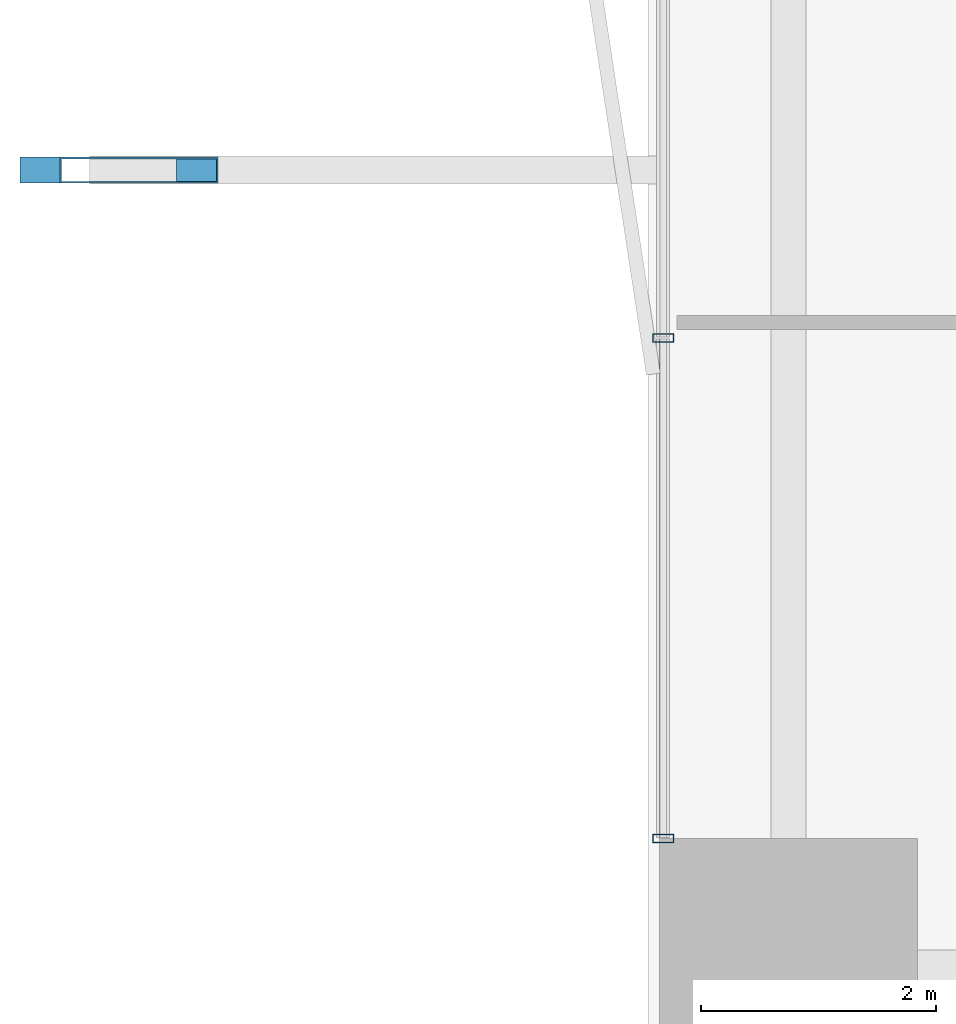
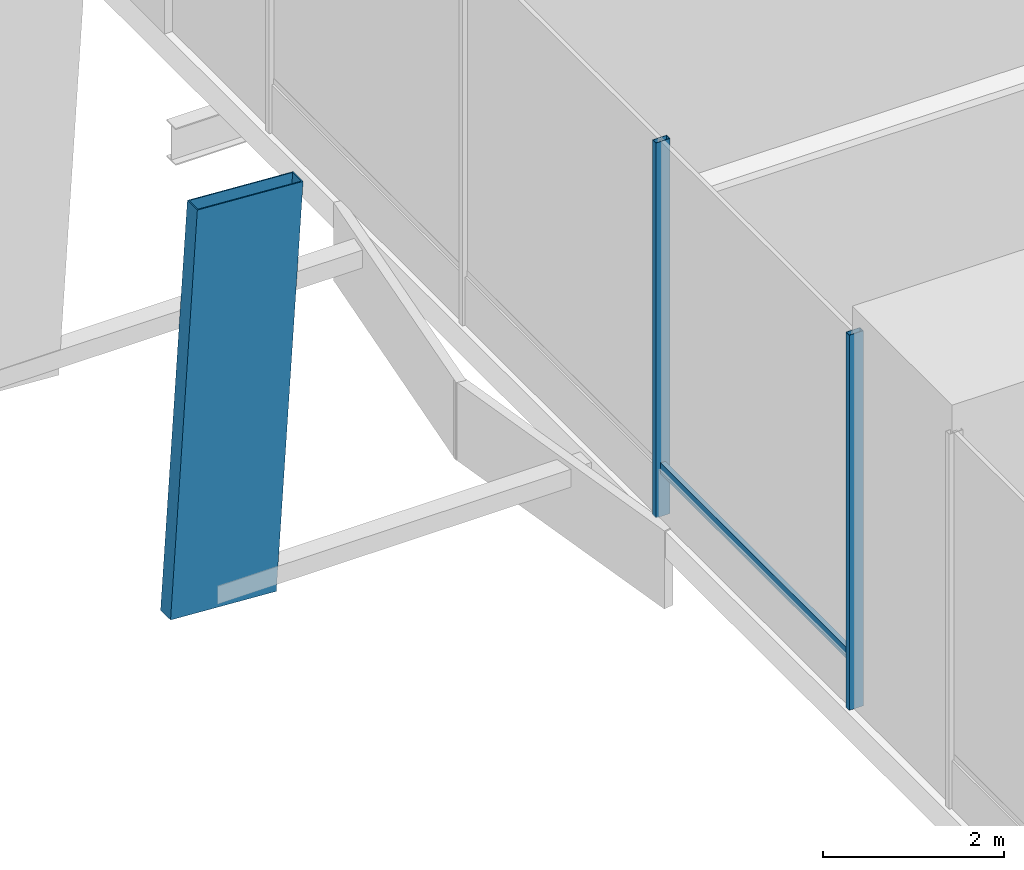
# One storey, part 9 of 24: 4 members, 1 element without a shape of its own.
"""IFC4 building model written with IfcOpenShell, lengths in metres."""

from ifc_helpers import new_model, si_unit, direction, frame, origin, origin_2d, place, context, subcontext, project, spatial, hollow_rectangle, extrude, material, layer, layer_set, material_profile, profile_set, type_object, element, aggregate, save


model = new_model("IFC4")

# Units and contexts
model_context = context("Model", 3, precision=1e-05, world=origin(), true_north=direction((0.0, 1.0)))
body_context = subcontext(model_context, "Body", "Model", "MODEL_VIEW")
ifc_project = project(units=[si_unit("LENGTHUNIT", "METRE"), si_unit("AREAUNIT", "SQUARE_METRE"), si_unit("VOLUMEUNIT", "CUBIC_METRE"), si_unit("PLANEANGLEUNIT", "RADIAN"), si_unit("MASSUNIT", "GRAM", prefix="KILO")], contexts=[model_context])

# Site, building, storey
site_placement = place(None, origin())
site = spatial("IfcSite", under=ifc_project, at=site_placement, CompositionType="ELEMENT")
building_placement = place(site_placement, origin())
building = spatial("IfcBuilding", under=site, at=building_placement, Name="Belovzor Exchange Tower", CompositionType="ELEMENT")
storey_placement = place(building_placement, frame((0.0, 0.0, 8.39990234375)))
storey = spatial("IfcBuildingStorey", under=building, at=storey_placement, Name="L02", CompositionType="ELEMENT", Elevation=8.39990234375)

# Member
ifc_material_1 = material(Name="Extruded Architectural Terracotta on Steel S355 Carrier", Category="masonry")
ifc_material_profile_1 = material_profile(ifc_material_1, hollow_rectangle(XDim=0.219970703125, YDim=1.35009765625, WallThickness=0.013916015625, at=origin_2d()))
ifc_profile_set_1 = profile_set([ifc_material_profile_1], Name="Extruded Architectural Terracotta on Steel S355 Carrier")
member_type_1 = type_object("IfcMemberType", Name="Base Arc Sweeping Terracotta Pylon Fin 1450", PredefinedType="USERDEFINED", material=ifc_profile_set_1)
member_1_placement = place(storey_placement, frame((-4.0810546875, 35.60009765625, -0.349853515625), z_axis=(0.063035616034, 0.0, 0.998011278048), x_axis=(0.0, 1.0, 0.0)))
element("IfcMember", 1, at=member_1_placement, inside=storey, type_object=member_type_1, Name="FIN-TC145 Terracotta Facade Fin L02 W3", ObjectType="FIN", PredefinedType="USERDEFINED", context=body_context, shape_type="SweptSolid", body=[
    extrude(hollow_rectangle(XDim=0.219970703125, YDim=1.35009765625, WallThickness=0.013916015625, at=origin_2d()), origin(), (0.0, 0.0, 1.0), 5.41064453125),
])

# Curtain wall, members
ifc_material_2 = material(Name="Anodised Aluminium Framing", Category="aluminium")
ifc_layer = layer(ifc_material_2, 0.219970703125)
ifc_layer_set = layer_set([ifc_layer], Name="Anodised Aluminium Framing")
curtain_wall_type = type_object("IfcCurtainWallType", Name="Podium Clear-Span Exchange Hall Unitised Curtain Wall", PredefinedType="NOTDEFINED", material=ifc_layer_set)
curtain_wall_placement = place(storey_placement, origin())
curtain_wall = element("IfcCurtainWall", 2, at=curtain_wall_placement, inside=storey, type_object=curtain_wall_type, Name="CW1 Podium Clear-Span Exchange Hall Unitised Curtain Wall L02", PredefinedType="NOTDEFINED")
ifc_material_3 = material(Name="Steel S355", Category="steel")
ifc_material_profile_2 = material_profile(ifc_material_3, hollow_rectangle(XDim=0.074951171875, YDim=0.179931640625, WallThickness=0.0048828125, at=origin_2d()))
ifc_profile_set_2 = profile_set([ifc_material_profile_2], Name="Steel S355")
member_type_2 = type_object("IfcMemberType", Name="Thermally Broken Curtain Wall Mullion 180x75", PredefinedType="MULLION", material=ifc_profile_set_2)
member_2_placement = place(storey_placement, frame((0.72998046875, 29.89990234375, 0.0), z_axis=(0.0, 0.0, 1.0), x_axis=(0.0, 1.0, 0.0)))
member_2 = element("IfcMember", 3, at=member_2_placement, type_object=member_type_2, Name="CW-M180 Curtain Wall Mullion 1", PredefinedType="MULLION", context=body_context, shape_type="SweptSolid", body=[
    extrude(hollow_rectangle(XDim=0.074951171875, YDim=0.179931640625, WallThickness=0.0048828125, at=origin_2d()), origin(), (0.0, 0.0, 1.0), 5.050048828125),
])
member_3_placement = place(storey_placement, frame((0.72998046875, 34.1669921875, 0.0), z_axis=(0.0, 0.0, 1.0), x_axis=(0.0, 1.0, 0.0)))
member_3 = element("IfcMember", 4, at=member_3_placement, type_object=member_type_2, Name="CW-M180 Curtain Wall Mullion 2", PredefinedType="MULLION", context=body_context, shape_type="SweptSolid", body=[
    extrude(hollow_rectangle(XDim=0.074951171875, YDim=0.179931640625, WallThickness=0.0048828125, at=origin_2d()), origin(), (0.0, 0.0, 1.0), 5.050048828125),
])
ifc_material_4 = material(Name="Steel S355", Category="steel")
ifc_material_profile_3 = material_profile(ifc_material_4, hollow_rectangle(XDim=0.06005859375, YDim=0.14990234375, WallThickness=0.00390625, at=origin_2d()))
ifc_profile_set_3 = profile_set([ifc_material_profile_3], Name="Steel S355")
member_type_3 = type_object("IfcMemberType", Name="Thermally Broken Curtain Wall Transom 150x60", PredefinedType="USERDEFINED", material=ifc_profile_set_3)
member_4_placement = place(storey_placement, frame((0.72998046875, 29.907958984375, 0.650146484375), z_axis=(0.0, 1.0, 0.0), x_axis=(-1.0, 0.0, 0.0)))
member_4 = element("IfcMember", 5, at=member_4_placement, type_object=member_type_3, Name="CW-T150 Curtain Wall Transom 1", ObjectType="TRANSOM", PredefinedType="USERDEFINED", context=body_context, shape_type="SweptSolid", body=[
    extrude(hollow_rectangle(XDim=0.06005859375, YDim=0.14990234375, WallThickness=0.00390625, at=origin_2d()), origin(), (0.0, 0.0, 1.0), 4.2509765625),
])
aggregate(curtain_wall, [member_2, member_3, member_4])

save(model, "model.ifc")
